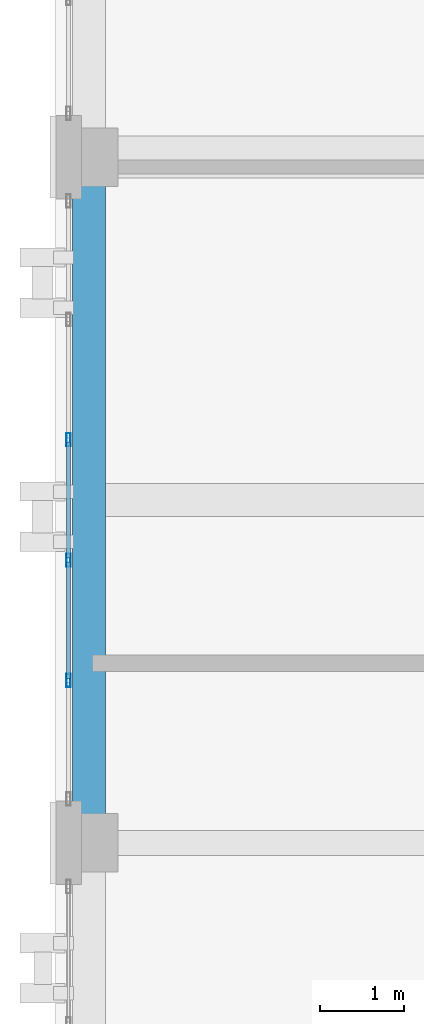
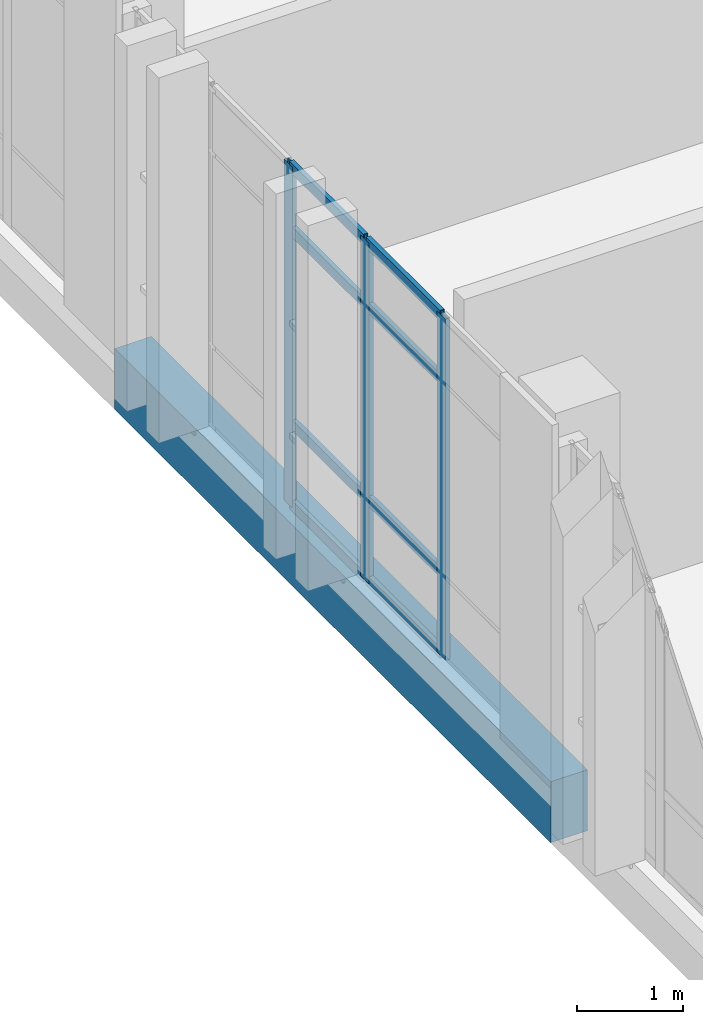
# One storey, part 77 of 193: 11 members, 1 beam, 1 element without a shape of its own.
"""IFC4 building model written with IfcOpenShell, lengths in metres."""

from ifc_helpers import new_model, si_unit, direction, frame, origin, origin_2d, place, context, subcontext, project, spatial, rectangle, hollow_rectangle, extrude, material, layer, layer_set, material_profile, profile_set, type_object, element, aggregate, save


model = new_model("IFC4")

# Units and contexts
model_context = context("Model", 3, precision=1e-05, world=origin(), true_north=direction((0.0, 1.0)))
body_context = subcontext(model_context, "Body", "Model", "MODEL_VIEW")
ifc_project = project(units=[si_unit("LENGTHUNIT", "METRE"), si_unit("AREAUNIT", "SQUARE_METRE"), si_unit("VOLUMEUNIT", "CUBIC_METRE"), si_unit("PLANEANGLEUNIT", "RADIAN"), si_unit("MASSUNIT", "GRAM", prefix="KILO")], contexts=[model_context])

# Site, building, storey
site_placement = place(None, origin())
site = spatial("IfcSite", under=ifc_project, at=site_placement, CompositionType="ELEMENT")
building_placement = place(site_placement, origin())
building = spatial("IfcBuilding", under=site, at=building_placement, Name="Qalavern Law Courts", CompositionType="ELEMENT")
storey_placement = place(building_placement, frame((0.0, 0.0, 10.199951171875)))
storey = spatial("IfcBuildingStorey", under=building, at=storey_placement, Name="L02", CompositionType="ELEMENT", Elevation=10.199951171875)

# Curtain wall, members
ifc_material_1 = material(Name="Anodised aluminium and insulated glazing", Category="aluminium")
ifc_layer = layer(ifc_material_1, 0.172119140625)
ifc_layer_set = layer_set([ifc_layer], Name="Anodised aluminium and insulated glazing")
curtain_wall_type = type_object("IfcCurtainWallType", Name="ENV-CW-COURT", PredefinedType="USERDEFINED", material=ifc_layer_set)
curtain_wall_placement = place(storey_placement, origin())
curtain_wall = element("IfcCurtainWall", 1, at=curtain_wall_placement, inside=storey, type_object=curtain_wall_type, Name="V3 unitised curtain wall L02 west 2", ObjectType="UNITISED CURTAIN WALL", PredefinedType="USERDEFINED")
ifc_material_2 = material(Name="Anodised aluminium", Category="aluminium")
ifc_material_profile_1 = material_profile(ifc_material_2, hollow_rectangle(XDim=0.048095703125, YDim=0.159912109375, WallThickness=0.00390625, at=origin_2d()), Name="ALU MULLION 48x160")
ifc_profile_set_1 = profile_set([ifc_material_profile_1], Name="Anodised aluminium")
member_type_1 = type_object("IfcMemberType", Name="ENV-CWM-48x160", PredefinedType="MULLION", material=ifc_profile_set_1)
member_1_placement = place(storey_placement, frame((2.155029296875, 84.219970703125, 0.0), z_axis=(0.0, 0.0, 1.0), x_axis=(1.0, 0.0, 0.0)))
member_1 = element("IfcMember", 2, at=member_1_placement, type_object=member_type_1, Name="CW-03 mullion 3", PredefinedType="MULLION", context=body_context, shape_type="SweptSolid", body=[
    extrude(hollow_rectangle(XDim=0.048095703125, YDim=0.159912109375, WallThickness=0.00390625, at=origin_2d()), origin(), (0.0, 0.0, 1.0), 3.9150390625),
])
member_2_placement = place(storey_placement, frame((2.155029296875, 82.780029296875, 0.0), z_axis=(0.0, 0.0, 1.0), x_axis=(1.0, 0.0, 0.0)))
member_2 = element("IfcMember", 3, at=member_2_placement, type_object=member_type_1, Name="CW-03 mullion 4", PredefinedType="MULLION", context=body_context, shape_type="SweptSolid", body=[
    extrude(hollow_rectangle(XDim=0.048095703125, YDim=0.159912109375, WallThickness=0.00390625, at=origin_2d()), origin(), (0.0, 0.0, 1.0), 3.9150390625),
])
member_3_placement = place(storey_placement, frame((2.155029296875, 81.340087890625, 0.0), z_axis=(0.0, 0.0, 1.0), x_axis=(1.0, 0.0, 0.0)))
member_3 = element("IfcMember", 4, at=member_3_placement, type_object=member_type_1, Name="CW-03 mullion 5", PredefinedType="MULLION", context=body_context, shape_type="SweptSolid", body=[
    extrude(hollow_rectangle(XDim=0.048095703125, YDim=0.159912109375, WallThickness=0.00390625, at=origin_2d()), origin(), (0.0, 0.0, 1.0), 3.9150390625),
])
ifc_material_profile_2 = material_profile(ifc_material_2, hollow_rectangle(XDim=0.048095703125, YDim=0.1201171875, WallThickness=0.00390625, at=origin_2d()), Name="ALU TRANSOM 48x120")
ifc_profile_set_2 = profile_set([ifc_material_profile_2], Name="Anodised aluminium")
member_type_2 = type_object("IfcMemberType", Name="ENV-CWT-48x120", PredefinedType="USERDEFINED", material=ifc_profile_set_2)
member_4_placement = place(storey_placement, frame((2.155029296875, 84.196044921875, 0.024169921875), z_axis=(0.0, -1.0, 0.0), x_axis=(1.0, 0.0, 0.0)))
member_4 = element("IfcMember", 5, at=member_4_placement, type_object=member_type_2, Name="CW-03 transom 3.1", ObjectType="TRANSOM", PredefinedType="USERDEFINED", context=body_context, shape_type="SweptSolid", body=[
    extrude(hollow_rectangle(XDim=0.048095703125, YDim=0.1201171875, WallThickness=0.00390625, at=origin_2d()), origin(), (0.0, 0.0, 1.0), 1.39208984375),
])
member_5_placement = place(storey_placement, frame((2.155029296875, 84.196044921875, 0.949951171875), z_axis=(0.0, -1.0, 0.0), x_axis=(1.0, 0.0, 0.0)))
member_5 = element("IfcMember", 6, at=member_5_placement, type_object=member_type_2, Name="CW-03 transom 3.2", ObjectType="TRANSOM", PredefinedType="USERDEFINED", context=body_context, shape_type="SweptSolid", body=[
    extrude(hollow_rectangle(XDim=0.048095703125, YDim=0.1201171875, WallThickness=0.00390625, at=origin_2d()), origin(), (0.0, 0.0, 1.0), 1.39208984375),
])
member_6_placement = place(storey_placement, frame((2.155029296875, 84.196044921875, 3.1650390625), z_axis=(0.0, -1.0, 0.0), x_axis=(1.0, 0.0, 0.0)))
member_6 = element("IfcMember", 7, at=member_6_placement, type_object=member_type_2, Name="CW-03 transom 3.3", ObjectType="TRANSOM", PredefinedType="USERDEFINED", context=body_context, shape_type="SweptSolid", body=[
    extrude(hollow_rectangle(XDim=0.048095703125, YDim=0.1201171875, WallThickness=0.00390625, at=origin_2d()), origin(), (0.0, 0.0, 1.0), 1.39208984375),
])
member_7_placement = place(storey_placement, frame((2.155029296875, 84.196044921875, 3.89111328125), z_axis=(0.0, -1.0, 0.0), x_axis=(1.0, 0.0, 0.0)))
member_7 = element("IfcMember", 8, at=member_7_placement, type_object=member_type_2, Name="CW-03 transom 3.4", ObjectType="TRANSOM", PredefinedType="USERDEFINED", context=body_context, shape_type="SweptSolid", body=[
    extrude(hollow_rectangle(XDim=0.048095703125, YDim=0.1201171875, WallThickness=0.00390625, at=origin_2d()), origin(), (0.0, 0.0, 1.0), 1.39208984375),
])
member_8_placement = place(storey_placement, frame((2.155029296875, 82.756103515625, 0.024169921875), z_axis=(0.0, -1.0, 0.0), x_axis=(1.0, 0.0, 0.0)))
member_8 = element("IfcMember", 9, at=member_8_placement, type_object=member_type_2, Name="CW-03 transom 4.1", ObjectType="TRANSOM", PredefinedType="USERDEFINED", context=body_context, shape_type="SweptSolid", body=[
    extrude(hollow_rectangle(XDim=0.048095703125, YDim=0.1201171875, WallThickness=0.00390625, at=origin_2d()), origin(), (0.0, 0.0, 1.0), 1.39208984375),
])
member_9_placement = place(storey_placement, frame((2.155029296875, 82.756103515625, 0.949951171875), z_axis=(0.0, -1.0, 0.0), x_axis=(1.0, 0.0, 0.0)))
member_9 = element("IfcMember", 10, at=member_9_placement, type_object=member_type_2, Name="CW-03 transom 4.2", ObjectType="TRANSOM", PredefinedType="USERDEFINED", context=body_context, shape_type="SweptSolid", body=[
    extrude(hollow_rectangle(XDim=0.048095703125, YDim=0.1201171875, WallThickness=0.00390625, at=origin_2d()), origin(), (0.0, 0.0, 1.0), 1.39208984375),
])
member_10_placement = place(storey_placement, frame((2.155029296875, 82.756103515625, 3.1650390625), z_axis=(0.0, -1.0, 0.0), x_axis=(1.0, 0.0, 0.0)))
member_10 = element("IfcMember", 11, at=member_10_placement, type_object=member_type_2, Name="CW-03 transom 4.3", ObjectType="TRANSOM", PredefinedType="USERDEFINED", context=body_context, shape_type="SweptSolid", body=[
    extrude(hollow_rectangle(XDim=0.048095703125, YDim=0.1201171875, WallThickness=0.00390625, at=origin_2d()), origin(), (0.0, 0.0, 1.0), 1.39208984375),
])
member_11_placement = place(storey_placement, frame((2.155029296875, 82.756103515625, 3.89111328125), z_axis=(0.0, -1.0, 0.0), x_axis=(1.0, 0.0, 0.0)))
member_11 = element("IfcMember", 12, at=member_11_placement, type_object=member_type_2, Name="CW-03 transom 4.4", ObjectType="TRANSOM", PredefinedType="USERDEFINED", context=body_context, shape_type="SweptSolid", body=[
    extrude(hollow_rectangle(XDim=0.048095703125, YDim=0.1201171875, WallThickness=0.00390625, at=origin_2d()), origin(), (0.0, 0.0, 1.0), 1.39208984375),
])
aggregate(curtain_wall, [member_1, member_2, member_3, member_4, member_5, member_6, member_7, member_8, member_9, member_10, member_11])

# Beam
ifc_material_3 = material(Name="Concrete C40/50", Category="concrete")
ifc_material_profile_3 = material_profile(ifc_material_3, rectangle(XDim=0.39990234375, YDim=0.699951171875, at=origin_2d()), Name="RC 400x700")
ifc_profile_set_3 = profile_set([ifc_material_profile_3], Name="Concrete C40/50")
beam_type = type_object("IfcBeamType", Name="STR-SP-RC400x700", PredefinedType="SPANDREL", material=ifc_profile_set_3)
beam_placement = place(storey_placement, frame((2.39990234375, 79.39990234375, -0.639892578125), z_axis=(0.0, 1.0, 0.0), x_axis=(-1.0, 0.0, 0.0)))
element("IfcBeam", 13, at=beam_placement, inside=storey, type_object=beam_type, Name="V3 Y-beam 1-6 L02", PredefinedType="SPANDREL", context=body_context, shape_type="SweptSolid", body=[
    extrude(rectangle(XDim=0.39990234375, YDim=0.699951171875, at=origin_2d()), origin(), (0.0, 0.0, 1.0), 8.2001953125),
])

save(model, "model.ifc")
